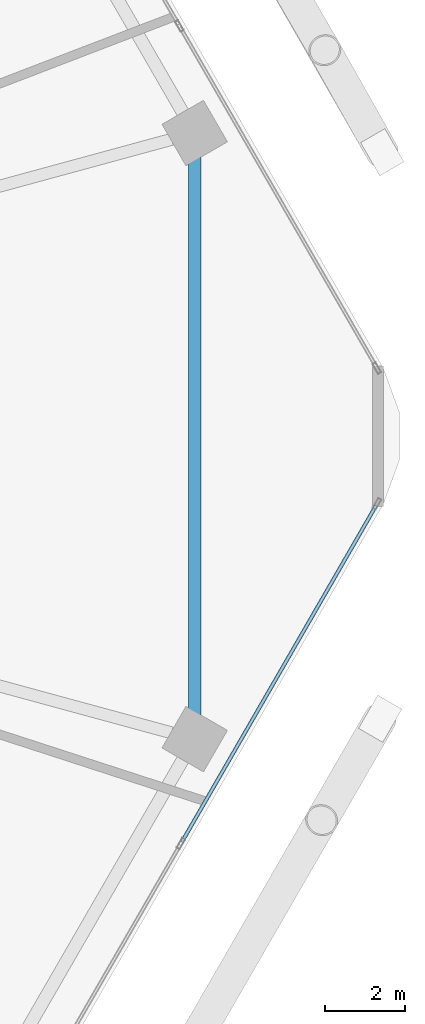
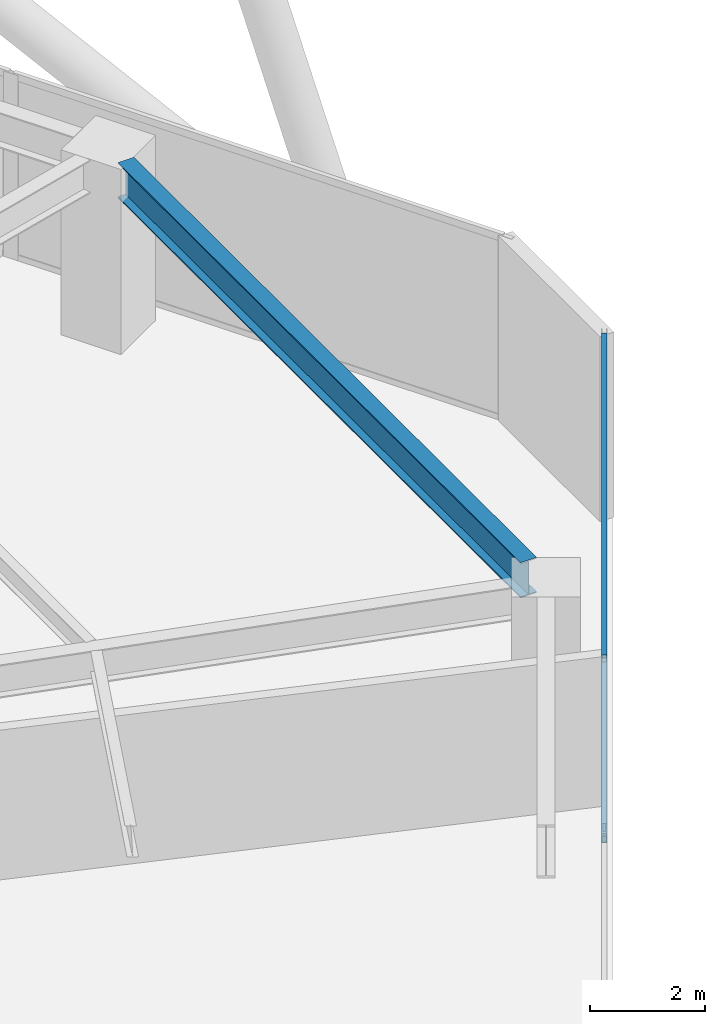
# One storey, part 12 of 28: 2 members, 1 beam, 1 element without a shape of its own.
"""IFC4 building model written with IfcOpenShell, lengths in metres."""

from ifc_helpers import new_model, si_unit, direction, frame, origin, origin_2d, place, context, subcontext, project, spatial, hollow_rectangle, i_section, extrude, material, material_profile, profile_set, type_object, element, aggregate, save


model = new_model("IFC4")

# Units and contexts
model_context = context("Model", 3, precision=1e-05, world=origin(), true_north=direction((0.0, 1.0)))
body_context = subcontext(model_context, "Body", "Model", "MODEL_VIEW")
ifc_project = project(units=[si_unit("LENGTHUNIT", "METRE"), si_unit("AREAUNIT", "SQUARE_METRE"), si_unit("VOLUMEUNIT", "CUBIC_METRE"), si_unit("PLANEANGLEUNIT", "RADIAN"), si_unit("MASSUNIT", "GRAM", prefix="KILO")], contexts=[model_context])

# Site, building, storey
site_placement = place(None, origin())
site = spatial("IfcSite", under=ifc_project, at=site_placement, CompositionType="ELEMENT")
building_placement = place(site_placement, origin())
building = spatial("IfcBuilding", under=site, at=building_placement, Name="Zuhravey Tower", CompositionType="ELEMENT")
storey_placement = place(building_placement, frame((0.0, 0.0, 24.60009765625)))
storey = spatial("IfcBuildingStorey", under=building, at=storey_placement, Name="L06", CompositionType="ELEMENT", Elevation=24.60009765625)

# Curtain wall, members
ifc_material_1 = material(Name="Thermally broken anodised aluminium", Category="aluminium")
curtain_wall_type = type_object("IfcCurtainWallType", Name="School Low-E Unitised Curtain Wall CW1", PredefinedType="NOTDEFINED", material=ifc_material_1)
curtain_wall_placement = place(storey_placement, origin())
curtain_wall = element("IfcCurtainWall", 1, at=curtain_wall_placement, inside=storey, type_object=curtain_wall_type, Name="L06 CW1 CW-L06-F6-1", PredefinedType="NOTDEFINED")
ifc_material_2 = material(Name="Anodised aluminium", Category="aluminium")
ifc_material_profile_1 = material_profile(ifc_material_2, hollow_rectangle(XDim=0.090087890625, YDim=0.14990234375, WallThickness=0.0048828125, at=origin_2d()), Name="ALU-RHS-90x150x5")
ifc_profile_set_1 = profile_set([ifc_material_profile_1], Name="Anodised aluminium")
member_type = type_object("IfcMemberType", Name="Curtain-Wall Transom 90x150", PredefinedType="USERDEFINED", material=ifc_profile_set_1)
member_1_placement = place(storey_placement, frame((68.43359375, 30.259521484375, 0.044921875), z_axis=(-0.500008393077, -0.866020557985, 0.0), x_axis=(0.866020557985, -0.500008393077, 0.0)))
member_1 = element("IfcMember", 2, at=member_1_placement, type_object=member_type, Name="CW1 transom 1.1", ObjectType="TRANSOM", PredefinedType="USERDEFINED", context=body_context, shape_type="SweptSolid", body=[
    extrude(hollow_rectangle(XDim=0.090087890625, YDim=0.14990234375, WallThickness=0.0048828125, at=origin_2d()), origin(), (0.0, 0.0, 1.0), 9.731201171875),
])
member_2_placement = place(storey_placement, frame((68.43359375, 30.259521484375, 3.875), z_axis=(-0.500008393077, -0.866020557985, 0.0), x_axis=(0.866020557985, -0.500008393077, 0.0)))
member_2 = element("IfcMember", 3, at=member_2_placement, type_object=member_type, Name="CW1 transom 1.2", ObjectType="TRANSOM", PredefinedType="USERDEFINED", context=body_context, shape_type="SweptSolid", body=[
    extrude(hollow_rectangle(XDim=0.090087890625, YDim=0.14990234375, WallThickness=0.0048828125, at=origin_2d()), origin(), (0.0, 0.0, 1.0), 9.731201171875),
])
aggregate(curtain_wall, [member_1, member_2])

# Beam
ifc_material_3 = material(Name="Steel SM355", Category="steel")
ifc_material_profile_2 = material_profile(ifc_material_3, i_section(OverallWidth=0.320068359375, OverallDepth=0.75, WebThickness=0.013916015625, FlangeThickness=0.02490234375, at=origin_2d()), Name="H-750x320x14x25")
ifc_profile_set_2 = profile_set([ifc_material_profile_2], Name="Steel SM355")
beam_type = type_object("IfcBeamType", Name="Perimeter Ring Beam H750x320", PredefinedType="BEAM", material=ifc_profile_set_2)
beam_placement = place(storey_placement, frame((63.88916015625, 25.011474609375, 3.544921875), z_axis=(0.0, 1.0, 0.0), x_axis=(-1.0, 0.0, 0.0)))
element("IfcBeam", 4, at=beam_placement, inside=storey, type_object=beam_type, Name="L06 PB1 BM-L06-PB-12", PredefinedType="BEAM", context=body_context, shape_type="SweptSolid", body=[
    extrude(i_section(OverallWidth=0.320068359375, OverallDepth=0.75, WebThickness=0.013916015625, FlangeThickness=0.02490234375, at=origin_2d()), origin(), (0.0, 0.0, 1.0), 13.97705078125),
])

save(model, "model.ifc")
